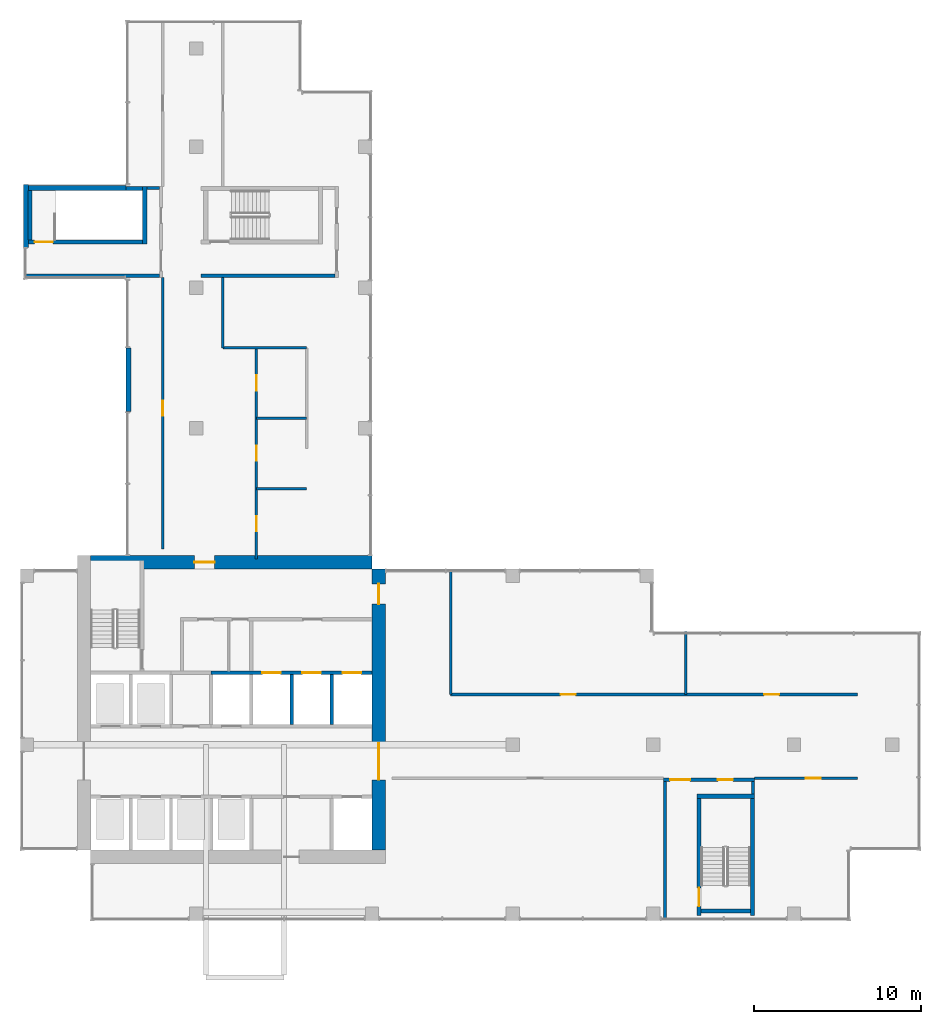
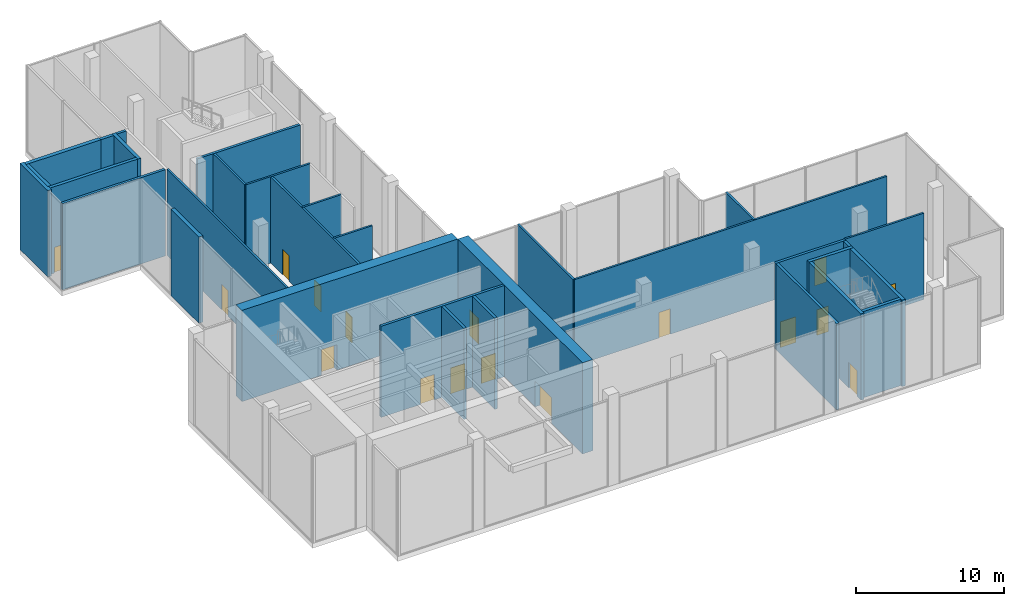
# One storey, part 8 of 13: 32 walls, 17 doors, 17 openings.
"""IFC4 building model written with IfcOpenShell, lengths in metres."""

import ifcopenshell
import ifcopenshell.guid

model = None  # the IFC model being written
_history = None  # IfcOwnerHistory: only IFC2X3 demands one
_inside = {}  # id of a spatial element -> (the spatial element, [elements in it])
_under = {}  # id of a project, library or spatial element -> (it, [spatial elements below it])
_declared = {}  # id of a project -> (the project, [libraries it declares])
_typed = {}  # id of a type object -> (the type object, [elements of that type])
_made_of = {}  # id of a material, layer set ... -> (it, [elements and type objects made of it])


def new_model(schema):
    """Start an empty IFC model of exactly this schema.

    Asked for "IFC4X3", IfcOpenShell would pick the latest addendum, in which some entities
    have other attributes; the version numbers below select the first issue.
    IFC2X3 requires an IfcOwnerHistory on every rooted entity: one is made here for all.
    """
    global model, _history
    if schema == "IFC4X3":
        model = ifcopenshell.file(schema_version=(4, 3, 0, 0))
    else:
        model = ifcopenshell.file(schema=schema)
    _inside.clear()
    _under.clear()
    _declared.clear()
    _typed.clear()
    _made_of.clear()
    _history = None
    if model.schema == "IFC2X3":
        org = make("IfcOrganization", Name="unknown")
        user = make(
            "IfcPersonAndOrganization",
            ThePerson=make("IfcPerson", FamilyName="unknown"),
            TheOrganization=org,
        )
        app = make(
            "IfcApplication",
            ApplicationDeveloper=org,
            Version="unknown",
            ApplicationFullName="unknown",
            ApplicationIdentifier="unknown",
        )
        _history = make(
            "IfcOwnerHistory",
            OwningUser=user,
            OwningApplication=app,
            ChangeAction="ADDED",
            CreationDate=0,
        )
    return model


def make(cls, **values):
    """One entity of the class cls with the attributes given. An attribute that is None is left unset."""
    return model.create_entity(
        cls, **{name: value for name, value in values.items() if value is not None}
    )


def rooted(cls, **values):
    """An entity with a GlobalId (a new one), such as an element, a storey or a relation."""
    return make(cls, GlobalId=ifcopenshell.guid.new(), OwnerHistory=_history, **values)


def si_unit(unit_type, name, prefix=None):
    """IfcSIUnit, for example si_unit("LENGTHUNIT", "METRE", prefix="MILLI")."""
    return make("IfcSIUnit", UnitType=unit_type, Prefix=prefix, Name=name)


def assignment(units):
    """IfcUnitAssignment: the units of a project."""
    return None if units is None else make("IfcUnitAssignment", Units=units)


def point(xyz):
    """IfcCartesianPoint."""
    return None if xyz is None else make("IfcCartesianPoint", Coordinates=xyz)


def direction(xyz):
    """IfcDirection."""
    return None if xyz is None else make("IfcDirection", DirectionRatios=xyz)


def frame(location, z_axis=None, x_axis=None):
    """IfcAxis2Placement3D, a coordinate frame: its origin and axes. An axis left out is left unset."""
    return make(
        "IfcAxis2Placement3D",
        Location=point(location),
        Axis=direction(z_axis),
        RefDirection=direction(x_axis),
    )


def frame_2d(location, x_axis=None):
    """IfcAxis2Placement2D, a coordinate frame in the plane: its origin and x axis."""
    return make(
        "IfcAxis2Placement2D", Location=point(location), RefDirection=direction(x_axis)
    )


def origin():
    """The frame at (0, 0, 0) with its axes left unset."""
    return frame((0.0, 0.0, 0.0))


def place(relative_to, where):
    """IfcLocalPlacement: puts the frame where relative to a parent placement (None: the world)."""
    return make(
        "IfcLocalPlacement", PlacementRelTo=relative_to, RelativePlacement=where
    )


def context(
    kind, dimensions, precision=None, world=None, true_north=None, identifier=None
):
    """IfcGeometricRepresentationContext, for example the 3D "Model" context."""
    return make(
        "IfcGeometricRepresentationContext",
        ContextIdentifier=identifier,
        ContextType=kind,
        CoordinateSpaceDimension=dimensions,
        Precision=precision,
        WorldCoordinateSystem=world,
        TrueNorth=true_north,
    )


def subcontext(parent, identifier, kind, view, scale=None):
    """IfcGeometricRepresentationSubContext, for example "Body" below "Model"."""
    return make(
        "IfcGeometricRepresentationSubContext",
        ContextIdentifier=identifier,
        ContextType=kind,
        ParentContext=parent,
        TargetScale=scale,
        TargetView=view,
    )


def project(units=None, contexts=None):
    """IfcProject with its units and contexts."""
    return rooted(
        "IfcProject",
        Name="project",
        RepresentationContexts=contexts,
        UnitsInContext=assignment(units),
    )


def spatial(cls, under=None, at=None, **own):
    """A site, building, storey or space (cls), placed at a placement, below another one or the project."""
    s = rooted(cls, ObjectPlacement=at, **own)
    if under is not None:
        _under.setdefault(under.id(), (under, []))[1].append(s)
    return s


def profile(cls, at=None, kind="AREA", **sizes):
    """A parametric profile (cls). Its sizes go by their IFC names, for example OverallWidth=200.0."""
    return make(cls, ProfileType=kind, Position=at, **sizes)


def rectangle(**sizes):
    """IfcRectangleProfileDef."""
    return profile("IfcRectangleProfileDef", **sizes)


def extrude(swept, where, along, depth):
    """IfcExtrudedAreaSolid: the profile swept, set in the frame where, extruded along a direction by depth."""
    return make(
        "IfcExtrudedAreaSolid",
        SweptArea=swept,
        Position=where,
        ExtrudedDirection=direction(along),
        Depth=depth,
    )


def shape(context_of_items, identifier, shape_type, items):
    """IfcShapeRepresentation: the items that make up one representation, for example the "Body"."""
    return make(
        "IfcShapeRepresentation",
        ContextOfItems=context_of_items,
        RepresentationIdentifier=identifier,
        RepresentationType=shape_type,
        Items=items,
    )


def source(mapping_origin, context_of_items, identifier, shape_type, items):
    """IfcRepresentationMap: a shape defined once, which mapped items show again and again."""
    return make(
        "IfcRepresentationMap",
        MappingOrigin=mapping_origin,
        MappedRepresentation=shape(context_of_items, identifier, shape_type, items),
    )


def transform(
    local_origin,
    x_axis=None,
    y_axis=None,
    z_axis=None,
    scale=None,
    scale2=None,
    scale3=None,
    uniform=True,
):
    """IfcCartesianTransformationOperator3D, or its non-uniform kind. x_axis, y_axis, z_axis: its Axis1, 2, 3."""
    if uniform:
        return make(
            "IfcCartesianTransformationOperator3D",
            Axis1=direction(x_axis),
            Axis2=direction(y_axis),
            LocalOrigin=point(local_origin),
            Scale=scale,
            Axis3=direction(z_axis),
        )
    return make(
        "IfcCartesianTransformationOperator3DnonUniform",
        Axis1=direction(x_axis),
        Axis2=direction(y_axis),
        LocalOrigin=point(local_origin),
        Scale=scale,
        Axis3=direction(z_axis),
        Scale2=scale2,
        Scale3=scale3,
    )


def mapped(mapping_source, mapping_target):
    """IfcMappedItem: shows the shape of a source again, moved by a transform."""
    return make(
        "IfcMappedItem", MappingSource=mapping_source, MappingTarget=mapping_target
    )


def material(Name=None, Category=None):
    """IfcMaterial."""
    return make("IfcMaterial", Name=Name, Category=Category)


def layer(
    of_material, thickness, ventilated=None, Name=None, Category=None, Priority=None
):
    """IfcMaterialLayer: one layer of a wall or slab, of a material (None: an air gap)."""
    return make(
        "IfcMaterialLayer",
        Material=of_material,
        LayerThickness=thickness,
        IsVentilated=ventilated,
        Name=Name,
        Category=Category,
        Priority=Priority,
    )


def layer_set(layers, Name=None):
    """IfcMaterialLayerSet."""
    return make("IfcMaterialLayerSet", MaterialLayers=layers, LayerSetName=Name)


def made_of(thing, what):
    """Note that an element or type object is made of a material, layer set ...; save() writes the relation."""
    if what is not None:
        _made_of.setdefault(what.id(), (what, []))[1].append(thing)
    return thing


def type_object(cls, material=None, **own):
    """A type object (cls), such as IfcWallType, which elements share."""
    return made_of(rooted(cls, **own), material)


def element(
    cls,
    number,
    at=None,
    inside=None,
    cuts=None,
    type_object=None,
    material=None,
    context=None,
    identifier="Body",
    shape_type=None,
    held_by="IfcProductDefinitionShape",
    body=None,
    shapes=None,
    **own,
):
    """One element of the class cls, such as IfcWall. Its Tag is "e" and its number.

    at: its placement. inside: the storey or other place that contains it. cuts: it is an
    opening in that element (IfcRelVoidsElement). A single representation is given by context,
    identifier, shape_type and body (its items); several are given by shapes. held_by: the class
    of the entity that holds the representations. save() writes the other relations.
    """
    e = rooted(cls, Tag="e%d" % number, ObjectPlacement=at, **own)
    if body is not None:
        shapes = [shape(context, identifier, shape_type, body)]
    if shapes is not None:
        e.Representation = make(held_by, Representations=shapes)
    if inside is not None:
        _inside.setdefault(inside.id(), (inside, []))[1].append(e)
    if cuts is not None:
        rooted(
            "IfcRelVoidsElement", RelatingBuildingElement=cuts, RelatedOpeningElement=e
        )
    if type_object is not None:
        _typed.setdefault(type_object.id(), (type_object, []))[1].append(e)
    return made_of(e, material)


def fill(opening, filler):
    """IfcRelFillsElement: the door or window that sits in an opening."""
    return rooted(
        "IfcRelFillsElement",
        RelatingOpeningElement=opening,
        RelatedBuildingElement=filler,
    )


def aggregate(whole, parts):
    """IfcRelAggregates: a whole, such as a stair, and the parts it consists of."""
    return rooted("IfcRelAggregates", RelatingObject=whole, RelatedObjects=parts)


def save(model, path):
    """Write the relations noted so far, then the file.

    IfcRelAggregates (storeys below a building ...), IfcRelContainedInSpatialStructure (elements
    in a storey), IfcRelDefinesByType, IfcRelAssociatesMaterial and IfcRelDeclares: one each for
    every whole, place, type object, material and project.
    """
    for whole, parts in _under.values():
        aggregate(whole, parts)
    for where, things in _inside.values():
        rooted(
            "IfcRelContainedInSpatialStructure",
            RelatedElements=things,
            RelatingStructure=where,
        )
    for kind, things in _typed.values():
        rooted("IfcRelDefinesByType", RelatedObjects=things, RelatingType=kind)
    for what, things in _made_of.values():
        rooted("IfcRelAssociatesMaterial", RelatedObjects=things, RelatingMaterial=what)
    for by, libraries in _declared.values():
        rooted("IfcRelDeclares", RelatingContext=by, RelatedDefinitions=libraries)
    model.write(path)


model = new_model("IFC4")

# Units and contexts
model_context = context("Model", 3, precision=1e-05, world=origin(), true_north=direction((0.0, 1.0)))
body_context = subcontext(model_context, "Body", "Model", "MODEL_VIEW")
ifc_project = project(units=[si_unit("LENGTHUNIT", "METRE"), si_unit("AREAUNIT", "SQUARE_METRE"), si_unit("VOLUMEUNIT", "CUBIC_METRE"), si_unit("PLANEANGLEUNIT", "RADIAN"), si_unit("MASSUNIT", "GRAM", prefix="KILO")], contexts=[model_context])

# Site, building, storey
site_placement = place(None, origin())
site = spatial("IfcSite", under=ifc_project, at=site_placement, CompositionType="ELEMENT")
building_placement = place(site_placement, origin())
building = spatial("IfcBuilding", under=site, at=building_placement, Name="Aurelian Terraces", CompositionType="ELEMENT")
storey_placement = place(building_placement, frame((0.0, 0.0, 277.0)))
storey = spatial("IfcBuildingStorey", under=building, at=storey_placement, Name="L63", CompositionType="ELEMENT", Elevation=277.0)

# Wall, openings, doors
ifc_material_1 = material(Name="Concrete fc' 70 MPa", Category="concrete")
ifc_layer_1 = layer(ifc_material_1, 0.8)
ifc_layer_set_1 = layer_set([ifc_layer_1], Name="CORE WALL 800 FC70")
wall_type_1 = type_object("IfcWallType", Name="CORE WALL 800 FC70", PredefinedType="SHEAR", material=ifc_layer_set_1)
wall_1_placement = place(storey_placement, frame((21.4, 4.2, 0.0), z_axis=(0.0, 0.0, 1.0), x_axis=(0.0, 1.0, 0.0)))
wall_1 = element("IfcWall", 1, at=wall_1_placement, inside=storey, type_object=wall_type_1, Name="Core wall E L63", PredefinedType="SHEAR", context=body_context, shape_type="SweptSolid", body=[
    extrude(rectangle(XDim=16.8, YDim=0.8, at=frame_2d((8.4, 0.0))), origin(), (0.0, 0.0, 1.0), 7.5),
])
shared_shape_1 = source(origin(), body_context, "Body", "SweptSolid", [
    extrude(rectangle(XDim=2.2, YDim=2.1, at=frame_2d((1.1, 1.05))), frame((0.0, 0.41, 0.0), z_axis=(0.0, -1.0, 0.0), x_axis=(1.0, 0.0, 0.0)), (0.0, 0.0, 1.0), 0.82),
])
opening_1_placement = place(wall_1_placement, frame((4.2, 0.0, 0.0)))
opening_1 = element("IfcOpeningElement", 2, at=opening_1_placement, cuts=wall_1, Name="Opening 66626", PredefinedType="OPENING", context=body_context, shape_type="MappedRepresentation", body=[
    mapped(shared_shape_1, transform((0.0, 0.0, 0.0), scale=1.0)),
])
shared_shape_2 = source(origin(), body_context, "Body", "SweptSolid", [
    extrude(rectangle(XDim=1.2, YDim=2.1, at=frame_2d((0.6, 1.05))), frame((0.0, 0.41, 0.0), z_axis=(0.0, -1.0, 0.0), x_axis=(1.0, 0.0, 0.0)), (0.0, 0.0, 1.0), 0.82),
])
opening_2_placement = place(wall_1_placement, frame((14.7, 0.0, 0.0)))
opening_2 = element("IfcOpeningElement", 3, at=opening_2_placement, cuts=wall_1, Name="Opening 66629", PredefinedType="OPENING", context=body_context, shape_type="MappedRepresentation", body=[
    mapped(shared_shape_2, transform((0.0, 0.0, 0.0), scale=1.0)),
])
ifc_material_2 = material(Name="Steel door leaf", Category="steel")
door_type_1 = type_object("IfcDoorType", Name="Core fire door 1200x2100 right", OperationType="SINGLE_SWING_RIGHT", PredefinedType="DOOR", material=ifc_material_2)
shared_shape_3 = source(origin(), body_context, "Body", "SweptSolid", [
    extrude(rectangle(XDim=1.2, YDim=2.1, at=frame_2d((0.6, 1.05))), frame((0.0, 0.025, 0.0), z_axis=(0.0, -1.0, 0.0), x_axis=(1.0, 0.0, 0.0)), (0.0, 0.0, 1.0), 0.05),
])
door_1_placement = place(opening_2_placement, origin())
door_1 = element("IfcDoor", 4, at=door_1_placement, inside=storey, type_object=door_type_1, Name="Core door 66629", OperationType="SINGLE_SWING_RIGHT", OverallHeight=2.1, OverallWidth=1.2, PredefinedType="DOOR", context=body_context, shape_type="MappedRepresentation", body=[
    mapped(shared_shape_3, transform((0.0, 0.0, 0.0), scale=1.0)),
])
fill(opening_2, door_1)
door_type_2 = type_object("IfcDoorType", Name="Core double door 2200x2100", OperationType="DOUBLE_DOOR_SINGLE_SWING", PredefinedType="DOOR", material=ifc_material_2)
shared_shape_4 = source(origin(), body_context, "Body", "SweptSolid", [
    extrude(rectangle(XDim=2.2, YDim=2.1, at=frame_2d((1.1, 1.05))), frame((0.0, 0.025, 0.0), z_axis=(0.0, -1.0, 0.0), x_axis=(1.0, 0.0, 0.0)), (0.0, 0.0, 1.0), 0.05),
])
door_2_placement = place(opening_1_placement, origin())
door_2 = element("IfcDoor", 5, at=door_2_placement, inside=storey, type_object=door_type_2, Name="Core door 66626", OperationType="DOUBLE_DOOR_SINGLE_SWING", OverallHeight=2.1, OverallWidth=2.2, PredefinedType="DOOR", context=body_context, shape_type="MappedRepresentation", body=[
    mapped(shared_shape_4, transform((0.0, 0.0, 0.0), scale=1.0)),
])
fill(opening_1, door_2)

# Walls
ifc_material_3 = material(Name="Gypsum board on steel studs", Category="steel")
ifc_layer_2 = layer(ifc_material_3, 0.2)
ifc_layer_set_2 = layer_set([ifc_layer_2], Name="Core partition 200")
wall_type_2 = type_object("IfcWallType", Name="Core partition 200", PredefinedType="PARTITIONING", material=ifc_layer_set_2)
wall_2_placement = place(storey_placement, frame((38.5, 0.11, 0.0), z_axis=(0.0, 0.0, 1.0), x_axis=(0.0, 1.0, 0.0)))
element("IfcWall", 6, at=wall_2_placement, inside=storey, type_object=wall_type_2, Name="L63 core wall ST-S2-VW", PredefinedType="PARTITIONING", context=body_context, shape_type="SweptSolid", body=[
    extrude(rectangle(XDim=8.19, YDim=0.2, at=frame_2d((4.095, 0.0))), origin(), (0.0, 0.0, 1.0), 7.1),
])
ifc_layer_3 = layer(ifc_material_3, 0.15)
ifc_layer_set_3 = layer_set([ifc_layer_3], Name="Special partition 150")
wall_type_3 = type_object("IfcWallType", Name="Special partition 150", PredefinedType="PARTITIONING", material=ifc_layer_set_3)
wall_3_placement = place(storey_placement, frame((12.1, 34.2, 0.0), z_axis=(0.0, 0.0, 1.0), x_axis=(0.0, 1.0, 0.0)))
element("IfcWall", 7, at=wall_3_placement, inside=storey, type_object=wall_type_3, Name="L63 partition W09", PredefinedType="PARTITIONING", context=body_context, shape_type="SweptSolid", body=[
    extrude(rectangle(XDim=4.2, YDim=0.15, at=frame_2d((2.1, 0.0))), origin(), (0.0, 0.0, 1.0), 7.1),
])
wall_4_placement = place(storey_placement, frame((39.73, 13.5, 0.0), z_axis=(0.0, 0.0, 1.0), x_axis=(0.0, 1.0, 0.0)))
element("IfcWall", 8, at=wall_4_placement, inside=storey, type_object=wall_type_3, Name="L63 partition W14", PredefinedType="PARTITIONING", context=body_context, shape_type="SweptSolid", body=[
    extrude(rectangle(XDim=3.75, YDim=0.15, at=frame_2d((1.875, 0.0))), origin(), (0.0, 0.0, 1.0), 7.1),
])

# Wall, opening, door
shared_shape_5 = source(origin(), body_context, "Body", "SweptSolid", [
    extrude(rectangle(XDim=16.8, YDim=0.8, at=frame_2d((8.4, 0.0))), origin(), (0.0, 0.0, 1.0), 7.5),
])
wall_5_placement = place(storey_placement, frame((4.2, 21.4, 0.0), z_axis=(0.0, 0.0, 1.0), x_axis=(1.0, 0.0, 0.0)))
wall_5 = element("IfcWall", 9, at=wall_5_placement, inside=storey, type_object=wall_type_1, Name="Core wall N L63", PredefinedType="SHEAR", context=body_context, shape_type="MappedRepresentation", body=[
    mapped(shared_shape_5, transform((0.0, 0.0, 0.0), scale=1.0)),
])
opening_3_placement = place(wall_5_placement, frame((6.2, 0.0, 0.0)))
opening_3 = element("IfcOpeningElement", 10, at=opening_3_placement, cuts=wall_5, Name="Opening 66628", PredefinedType="OPENING", context=body_context, shape_type="MappedRepresentation", body=[
    mapped(shared_shape_2, transform((0.0, 0.0, 0.0), scale=1.0)),
])
door_type_3 = type_object("IfcDoorType", Name="Core fire door 1200x2100", OperationType="SINGLE_SWING_LEFT", PredefinedType="DOOR", material=ifc_material_2)
door_3_placement = place(opening_3_placement, origin())
door_3 = element("IfcDoor", 11, at=door_3_placement, inside=storey, type_object=door_type_3, Name="Core door 66628", OperationType="SINGLE_SWING_LEFT", OverallHeight=2.1, OverallWidth=1.2, PredefinedType="DOOR", context=body_context, shape_type="MappedRepresentation", body=[
    mapped(shared_shape_3, transform((0.0, 0.0, 0.0), scale=1.0)),
])
fill(opening_3, door_3)

# Walls
ifc_material_4 = material(Name="Concrete fc' 40 MPa", Category="concrete")
ifc_layer_4 = layer(ifc_material_4, 0.3)
ifc_layer_set_4 = layer_set([ifc_layer_4], Name="STAIR BAY WALL 300")
wall_type_4 = type_object("IfcWallType", Name="STAIR BAY WALL 300", PredefinedType="SOLIDWALL", material=ifc_layer_set_4)
shared_shape_6 = source(origin(), body_context, "Body", "SweptSolid", [
    extrude(rectangle(XDim=5.8, YDim=0.3, at=frame_2d((2.9, 0.0))), origin(), (0.0, 0.0, 1.0), 7.1),
])
wall_6_placement = place(storey_placement, frame((6.3, 43.75, 0.0), z_axis=(0.0, 0.0, 1.0), x_axis=(-1.0, 0.0, 0.0)))
element("IfcWall", 12, at=wall_6_placement, inside=storey, type_object=wall_type_4, Name="Stair bay wall L63 F13.1", PredefinedType="SOLIDWALL", context=body_context, shape_type="MappedRepresentation", body=[
    mapped(shared_shape_6, transform((0.0, 0.0, 0.0), scale=1.0)),
])
shared_shape_7 = source(origin(), body_context, "Body", "SweptSolid", [
    extrude(rectangle(XDim=3.75, YDim=0.3, at=frame_2d((1.875, 0.0))), origin(), (0.0, 0.0, 1.0), 7.1),
])
wall_7_placement = place(storey_placement, frame((0.35, 43.95, 0.0), z_axis=(0.0, 0.0, 1.0), x_axis=(0.0, -1.0, 0.0)))
element("IfcWall", 13, at=wall_7_placement, inside=storey, type_object=wall_type_4, Name="Stair bay wall L63 F14.1", PredefinedType="SOLIDWALL", context=body_context, shape_type="MappedRepresentation", body=[
    mapped(shared_shape_7, transform((0.0, 0.0, 0.0), scale=1.0)),
])
shared_shape_8 = source(origin(), body_context, "Body", "SweptSolid", [
    extrude(rectangle(XDim=3.8, YDim=0.3, at=frame_2d((1.9, 0.0))), origin(), (0.0, 0.0, 1.0), 7.1),
])
wall_8_placement = place(storey_placement, frame((6.45, 34.2, 0.0), z_axis=(0.0, 0.0, 1.0), x_axis=(0.0, -1.0, 0.0)))
element("IfcWall", 14, at=wall_8_placement, inside=storey, type_object=wall_type_4, Name="Stair bay wall L63 F16.2", PredefinedType="SOLIDWALL", context=body_context, shape_type="MappedRepresentation", body=[
    mapped(shared_shape_8, transform((0.0, 0.0, 0.0), scale=1.0)),
])
ifc_layer_5 = layer(ifc_material_4, 0.2)
ifc_layer_set_5 = layer_set([ifc_layer_5], Name="Lift shaft wall 200")
wall_type_5 = type_object("IfcWallType", Name="Lift shaft wall 200", PredefinedType="SOLIDWALL", material=ifc_layer_set_5)
shared_shape_9 = source(origin(), body_context, "Body", "SweptSolid", [
    extrude(rectangle(XDim=3.0, YDim=0.2, at=frame_2d((1.5, 0.0))), origin(), (0.0, 0.0, 1.0), 7.5),
])
for number, where, z_axis, x_axis, name in (
    (15, (16.2, 11.7, 0.0), (0.0, 0.0, 1.0), (0.0, 1.0, 0.0), "L63 core wall CD-B5"),
    (16, (18.6, 11.7, 0.0), (0.0, 0.0, 1.0), (0.0, 1.0, 0.0), "L63 core wall CD-B6"),
):
    element("IfcWall", number, at=place(storey_placement, frame(where, z_axis=z_axis, x_axis=x_axis)), inside=storey, type_object=wall_type_5, Name=name, PredefinedType="SOLIDWALL", context=body_context, shape_type="MappedRepresentation", body=[
        mapped(shared_shape_9, transform((0.0, 0.0, 0.0), scale=1.0)),
    ])

# Wall, openings, doors
shared_shape_10 = source(origin(), body_context, "Body", "SweptSolid", [
    extrude(rectangle(XDim=9.6, YDim=0.2, at=frame_2d((4.8, 0.0))), origin(), (0.0, 0.0, 1.0), 7.5),
])
wall_9_placement = place(storey_placement, frame((11.4, 14.8, 0.0), z_axis=(0.0, 0.0, 1.0), x_axis=(1.0, 0.0, 0.0)))
wall_9 = element("IfcWall", 17, at=wall_9_placement, inside=storey, type_object=wall_type_5, Name="L63 core wall CF-BB3", PredefinedType="SOLIDWALL", context=body_context, shape_type="MappedRepresentation", body=[
    mapped(shared_shape_10, transform((0.0, 0.0, 0.0), scale=1.0)),
])
shared_shape_11 = source(origin(), body_context, "Body", "SweptSolid", [
    extrude(rectangle(XDim=1.1, YDim=2.1, at=frame_2d((0.55, 1.05))), frame((0.0, 0.11, 0.0), z_axis=(0.0, -1.0, 0.0), x_axis=(1.0, 0.0, 0.0)), (0.0, 0.0, 1.0), 0.22),
])
opening_4_placement = place(wall_9_placement, frame((3.05, 0.0, 0.0)))
opening_4 = element("IfcOpeningElement", 18, at=opening_4_placement, cuts=wall_9, Name="Opening 66610", PredefinedType="OPENING", context=body_context, shape_type="MappedRepresentation", body=[
    mapped(shared_shape_11, transform((0.0, 0.0, 0.0), scale=1.0)),
])
opening_5_placement = place(wall_9_placement, frame((5.45, 0.0, 0.0)))
opening_5 = element("IfcOpeningElement", 19, at=opening_5_placement, cuts=wall_9, Name="Opening 66611", PredefinedType="OPENING", context=body_context, shape_type="MappedRepresentation", body=[
    mapped(shared_shape_11, transform((0.0, 0.0, 0.0), scale=1.0)),
])
opening_6_placement = place(wall_9_placement, frame((7.85, 0.0, 0.0)))
opening_6 = element("IfcOpeningElement", 20, at=opening_6_placement, cuts=wall_9, Name="Opening 66612", PredefinedType="OPENING", context=body_context, shape_type="MappedRepresentation", body=[
    mapped(shared_shape_11, transform((0.0, 0.0, 0.0), scale=1.0)),
])
ifc_material_5 = material(Name="Stainless steel", Category="steel")
door_type_4 = type_object("IfcDoorType", Name="Lift landing door 1100x2100", OperationType="SLIDING_TO_LEFT", PredefinedType="DOOR", material=ifc_material_5)
shared_shape_12 = source(origin(), body_context, "Body", "SweptSolid", [
    extrude(rectangle(XDim=1.1, YDim=2.1, at=frame_2d((0.55, 1.05))), frame((0.0, 0.025, 0.0), z_axis=(0.0, -1.0, 0.0), x_axis=(1.0, 0.0, 0.0)), (0.0, 0.0, 1.0), 0.05),
])
door_4_placement = place(opening_4_placement, origin())
door_4 = element("IfcDoor", 21, at=door_4_placement, inside=storey, type_object=door_type_4, Name="Lift landing door F1 L63", OperationType="SLIDING_TO_LEFT", OverallHeight=2.1, OverallWidth=1.1, PredefinedType="DOOR", context=body_context, shape_type="MappedRepresentation", body=[
    mapped(shared_shape_12, transform((0.0, 0.0, 0.0), scale=1.0)),
])
fill(opening_4, door_4)
door_5_placement = place(opening_5_placement, origin())
door_5 = element("IfcDoor", 22, at=door_5_placement, inside=storey, type_object=door_type_4, Name="Lift landing door F2 L63", OperationType="SLIDING_TO_LEFT", OverallHeight=2.1, OverallWidth=1.1, PredefinedType="DOOR", context=body_context, shape_type="MappedRepresentation", body=[
    mapped(shared_shape_12, transform((0.0, 0.0, 0.0), scale=1.0)),
])
fill(opening_5, door_5)
door_6_placement = place(opening_6_placement, origin())
door_6 = element("IfcDoor", 23, at=door_6_placement, inside=storey, type_object=door_type_4, Name="Lift landing door F3 L63", OperationType="SLIDING_TO_LEFT", OverallHeight=2.1, OverallWidth=1.1, PredefinedType="DOOR", context=body_context, shape_type="MappedRepresentation", body=[
    mapped(shared_shape_12, transform((0.0, 0.0, 0.0), scale=1.0)),
])
fill(opening_6, door_6)

# Wall, opening, door
ifc_layer_6 = layer(ifc_material_4, 0.25)
ifc_layer_set_6 = layer_set([ifc_layer_6], Name="Stair enclosure wall 250")
wall_type_6 = type_object("IfcWallType", Name="Stair enclosure wall 250", PredefinedType="SOLIDWALL", material=ifc_layer_set_6)
shared_shape_13 = source(origin(), body_context, "Body", "SweptSolid", [
    extrude(rectangle(XDim=7.0, YDim=0.25, at=frame_2d((3.5, 0.0))), origin(), (0.0, 0.0, 1.0), 7.1),
])
wall_10_placement = place(storey_placement, frame((40.525, 0.3, 0.0), z_axis=(0.0, 0.0, 1.0), x_axis=(0.0, 1.0, 0.0)))
wall_10 = element("IfcWall", 24, at=wall_10_placement, inside=storey, type_object=wall_type_6, Name="L63 core wall ST-S2-W", PredefinedType="SOLIDWALL", context=body_context, shape_type="MappedRepresentation", body=[
    mapped(shared_shape_13, transform((0.0, 0.0, 0.0), scale=1.0)),
])
shared_shape_14 = source(origin(), body_context, "Body", "SweptSolid", [
    extrude(rectangle(XDim=1.1, YDim=2.1, at=frame_2d((0.55, 1.05))), frame((0.0, 0.135, 0.0), z_axis=(0.0, -1.0, 0.0), x_axis=(1.0, 0.0, 0.0)), (0.0, 0.0, 1.0), 0.27),
])
opening_7_placement = place(wall_10_placement, frame((0.55, 0.0, 0.0)))
opening_7 = element("IfcOpeningElement", 25, at=opening_7_placement, cuts=wall_10, Name="Opening 66617", PredefinedType="OPENING", context=body_context, shape_type="MappedRepresentation", body=[
    mapped(shared_shape_14, transform((0.0, 0.0, 0.0), scale=1.0)),
])
door_type_5 = type_object("IfcDoorType", Name="Core fire door 1100x2100 right", OperationType="SINGLE_SWING_RIGHT", PredefinedType="DOOR", material=ifc_material_2)
door_7_placement = place(opening_7_placement, origin())
door_7 = element("IfcDoor", 26, at=door_7_placement, inside=storey, type_object=door_type_5, Name="Stair door 66617", OperationType="SINGLE_SWING_RIGHT", OverallHeight=2.1, OverallWidth=1.1, PredefinedType="DOOR", context=body_context, shape_type="MappedRepresentation", body=[
    mapped(shared_shape_12, transform((0.0, 0.0, 0.0), scale=1.0)),
])
fill(opening_7, door_7)

# Wall
wall_11_placement = place(storey_placement, frame((43.725, 0.3, 0.0), z_axis=(0.0, 0.0, 1.0), x_axis=(0.0, 1.0, 0.0)))
element("IfcWall", 27, at=wall_11_placement, inside=storey, type_object=wall_type_6, Name="L63 core wall ST-S2-E", PredefinedType="SOLIDWALL", context=body_context, shape_type="MappedRepresentation", body=[
    mapped(shared_shape_13, transform((0.0, 0.0, 0.0), scale=1.0)),
])

# Wall, opening, door
wall_12_placement = place(storey_placement, frame((0.3, 40.525, 0.0), z_axis=(0.0, 0.0, 1.0), x_axis=(1.0, 0.0, 0.0)))
wall_12 = element("IfcWall", 28, at=wall_12_placement, inside=storey, type_object=wall_type_6, Name="L63 core wall ST-S3-W", PredefinedType="SOLIDWALL", context=body_context, shape_type="MappedRepresentation", body=[
    mapped(shared_shape_13, transform((0.0, 0.0, 0.0), scale=1.0)),
])
opening_8_placement = place(wall_12_placement, frame((0.55, 0.0, 0.0)))
opening_8 = element("IfcOpeningElement", 29, at=opening_8_placement, cuts=wall_12, Name="Opening 66620", PredefinedType="OPENING", context=body_context, shape_type="MappedRepresentation", body=[
    mapped(shared_shape_14, transform((0.0, 0.0, 0.0), scale=1.0)),
])
door_type_6 = type_object("IfcDoorType", Name="Core fire door 1100x2100", OperationType="SINGLE_SWING_LEFT", PredefinedType="DOOR", material=ifc_material_2)
door_8_placement = place(opening_8_placement, origin())
door_8 = element("IfcDoor", 30, at=door_8_placement, inside=storey, type_object=door_type_6, Name="Stair door 66620", OperationType="SINGLE_SWING_LEFT", OverallHeight=2.1, OverallWidth=1.1, PredefinedType="DOOR", context=body_context, shape_type="MappedRepresentation", body=[
    mapped(shared_shape_12, transform((0.0, 0.0, 0.0), scale=1.0)),
])
fill(opening_8, door_8)

# Walls
shared_shape_15 = source(origin(), body_context, "Body", "SweptSolid", [
    extrude(rectangle(XDim=3.45, YDim=0.25, at=frame_2d((1.725, 0.0))), origin(), (0.0, 0.0, 1.0), 7.1),
])
for number, where, z_axis, x_axis, name in (
    (31, (40.4, 7.425, 0.0), (0.0, 0.0, 1.0), (1.0, 0.0, 0.0), "L63 core wall ST-S2-N"),
    (32, (7.425, 40.4, 0.0), (0.0, 0.0, 1.0), (0.0, 1.0, 0.0), "L63 core wall ST-S3-N"),
):
    element("IfcWall", number, at=place(storey_placement, frame(where, z_axis=z_axis, x_axis=x_axis)), inside=storey, type_object=wall_type_6, Name=name, PredefinedType="SOLIDWALL", context=body_context, shape_type="MappedRepresentation", body=[
        mapped(shared_shape_15, transform((0.0, 0.0, 0.0), scale=1.0)),
    ])
shared_shape_16 = source(origin(), body_context, "Body", "SweptSolid", [
    extrude(rectangle(XDim=2.95, YDim=0.25, at=frame_2d((1.475, 0.0))), origin(), (0.0, 0.0, 1.0), 7.1),
])
for number, where, z_axis, x_axis, name in (
    (33, (40.65, 0.575, 0.0), (0.0, 0.0, 1.0), (1.0, 0.0, 0.0), "L63 core wall ST-S2-SS"),
    (34, (0.575, 40.65, 0.0), (0.0, 0.0, 1.0), (0.0, 1.0, 0.0), "L63 core wall ST-S3-SS"),
):
    element("IfcWall", number, at=place(storey_placement, frame(where, z_axis=z_axis, x_axis=x_axis)), inside=storey, type_object=wall_type_6, Name=name, PredefinedType="SOLIDWALL", context=body_context, shape_type="MappedRepresentation", body=[
        mapped(shared_shape_16, transform((0.0, 0.0, 0.0), scale=1.0)),
    ])
shared_shape_17 = source(origin(), body_context, "Body", "SweptSolid", [
    extrude(rectangle(XDim=8.0, YDim=0.2, at=frame_2d((4.0, 0.0))), origin(), (0.0, 0.0, 1.0), 7.1),
])
for number, where, z_axis, x_axis, name in (
    (35, (0.3, 38.5, 0.0), (0.0, 0.0, 1.0), (1.0, 0.0, 0.0), "L63 core wall ST-S3-VW"),
    (36, (10.8, 38.5, 0.0), (0.0, 0.0, 1.0), (1.0, 0.0, 0.0), "L63 core wall ST-S3U-VW"),
):
    element("IfcWall", number, at=place(storey_placement, frame(where, z_axis=z_axis, x_axis=x_axis)), inside=storey, type_object=wall_type_2, Name=name, PredefinedType="PARTITIONING", context=body_context, shape_type="MappedRepresentation", body=[
        mapped(shared_shape_17, transform((0.0, 0.0, 0.0), scale=1.0)),
    ])

# Wall, openings, doors
shared_shape_18 = source(origin(), body_context, "Body", "SweptSolid", [
    extrude(rectangle(XDim=5.45, YDim=0.2, at=frame_2d((2.725, 0.0))), origin(), (0.0, 0.0, 1.0), 7.1),
])
wall_13_placement = place(storey_placement, frame((38.4, 8.4, 0.0), z_axis=(0.0, 0.0, 1.0), x_axis=(1.0, 0.0, 0.0)))
wall_13 = element("IfcWall", 37, at=wall_13_placement, inside=storey, type_object=wall_type_2, Name="L63 core wall ST-S2-BN", PredefinedType="PARTITIONING", context=body_context, shape_type="MappedRepresentation", body=[
    mapped(shared_shape_18, transform((0.0, 0.0, 0.0), scale=1.0)),
])
shared_shape_19 = source(origin(), body_context, "Body", "SweptSolid", [
    extrude(rectangle(XDim=1.2, YDim=2.1, at=frame_2d((0.6, 1.05))), frame((0.0, 0.11, 0.0), z_axis=(0.0, -1.0, 0.0), x_axis=(1.0, 0.0, 0.0)), (0.0, 0.0, 1.0), 0.22),
])
opening_9_placement = place(wall_13_placement, frame((0.4, 0.0, 0.0)))
opening_9 = element("IfcOpeningElement", 38, at=opening_9_placement, cuts=wall_13, Name="Opening 66618", PredefinedType="OPENING", context=body_context, shape_type="MappedRepresentation", body=[
    mapped(shared_shape_19, transform((0.0, 0.0, 0.0), scale=1.0)),
])
shared_shape_20 = source(origin(), body_context, "Body", "SweptSolid", [
    extrude(rectangle(XDim=0.9, YDim=2.1, at=frame_2d((0.45, 1.05))), frame((0.0, 0.11, 0.0), z_axis=(0.0, -1.0, 0.0), x_axis=(1.0, 0.0, 0.0)), (0.0, 0.0, 1.0), 0.22),
])
opening_10_placement = place(wall_13_placement, frame((3.25, 0.0, 0.0)))
opening_10 = element("IfcOpeningElement", 39, at=opening_10_placement, cuts=wall_13, Name="Opening 66619", PredefinedType="OPENING", context=body_context, shape_type="MappedRepresentation", body=[
    mapped(shared_shape_20, transform((0.0, 0.0, 0.0), scale=1.0)),
])
door_type_7 = type_object("IfcDoorType", Name="Core riser door 900x2100 right", OperationType="SINGLE_SWING_RIGHT", PredefinedType="DOOR", material=ifc_material_2)
shared_shape_21 = source(origin(), body_context, "Body", "SweptSolid", [
    extrude(rectangle(XDim=0.9, YDim=2.1, at=frame_2d((0.45, 1.05))), frame((0.0, 0.025, 0.0), z_axis=(0.0, -1.0, 0.0), x_axis=(1.0, 0.0, 0.0)), (0.0, 0.0, 1.0), 0.05),
])
door_9_placement = place(opening_10_placement, origin())
door_9 = element("IfcDoor", 40, at=door_9_placement, inside=storey, type_object=door_type_7, Name="Riser door 66619", OperationType="SINGLE_SWING_RIGHT", OverallHeight=2.1, OverallWidth=0.9, PredefinedType="DOOR", context=body_context, shape_type="MappedRepresentation", body=[
    mapped(shared_shape_21, transform((0.0, 0.0, 0.0), scale=1.0)),
])
fill(opening_10, door_9)
door_10_placement = place(opening_9_placement, origin())
door_10 = element("IfcDoor", 41, at=door_10_placement, inside=storey, type_object=door_type_3, Name="Vestibule door 66618", OperationType="SINGLE_SWING_LEFT", OverallHeight=2.1, OverallWidth=1.2, PredefinedType="DOOR", context=body_context, shape_type="MappedRepresentation", body=[
    mapped(shared_shape_3, transform((0.0, 0.0, 0.0), scale=1.0)),
])
fill(opening_9, door_10)

# Walls
shared_shape_22 = source(origin(), body_context, "Body", "SweptSolid", [
    extrude(rectangle(XDim=0.75, YDim=0.2, at=frame_2d((0.375, 0.0))), origin(), (0.0, 0.0, 1.0), 7.1),
])
for number, where, z_axis, x_axis, name in (
    (42, (43.75, 7.55, 0.0), (0.0, 0.0, 1.0), (0.0, 1.0, 0.0), "L63 core wall ST-S2-RE"),
    (43, (7.55, 43.75, 0.0), (0.0, 0.0, 1.0), (1.0, 0.0, 0.0), "L63 core wall ST-S3-RE"),
):
    element("IfcWall", number, at=place(storey_placement, frame(where, z_axis=z_axis, x_axis=x_axis)), inside=storey, type_object=wall_type_2, Name=name, PredefinedType="PARTITIONING", context=body_context, shape_type="MappedRepresentation", body=[
        mapped(shared_shape_22, transform((0.0, 0.0, 0.0), scale=1.0)),
    ])
shared_shape_23 = source(origin(), body_context, "Body", "SweptSolid", [
    extrude(rectangle(XDim=1.0, YDim=0.25, at=frame_2d((0.5, 0.0))), origin(), (0.0, 0.0, 1.0), 7.1),
])
wall_14_placement = place(storey_placement, frame((6.3, 43.725, 0.0), z_axis=(0.0, 0.0, 1.0), x_axis=(1.0, 0.0, 0.0)))
element("IfcWall", 44, at=wall_14_placement, inside=storey, type_object=wall_type_6, Name="L63 core wall ST-S3-E", PredefinedType="SOLIDWALL", context=body_context, shape_type="MappedRepresentation", body=[
    mapped(shared_shape_23, transform((0.0, 0.0, 0.0), scale=1.0)),
])
shared_shape_24 = source(origin(), body_context, "Body", "SweptSolid", [
    extrude(rectangle(XDim=3.0, YDim=0.15, at=frame_2d((1.5, 0.0))), origin(), (0.0, 0.0, 1.0), 7.1),
])
for number, where, z_axis, x_axis, name in (
    (45, (14.1, 25.8, 0.0), (0.0, 0.0, 1.0), (1.0, 0.0, 0.0), "L63 partition W04"),
    (46, (14.1, 30.0, 0.0), (0.0, 0.0, 1.0), (1.0, 0.0, 0.0), "L63 partition W05"),
):
    element("IfcWall", number, at=place(storey_placement, frame(where, z_axis=z_axis, x_axis=x_axis)), inside=storey, type_object=wall_type_3, Name=name, PredefinedType="PARTITIONING", context=body_context, shape_type="MappedRepresentation", body=[
        mapped(shared_shape_24, transform((0.0, 0.0, 0.0), scale=1.0)),
    ])

# Wall, opening, door
shared_shape_25 = source(origin(), body_context, "Body", "SweptSolid", [
    extrude(rectangle(XDim=16.2, YDim=0.15, at=frame_2d((8.1, 0.0))), origin(), (0.0, 0.0, 1.0), 7.1),
])
wall_15_placement = place(storey_placement, frame((8.5, 22.2, 0.0), z_axis=(0.0, 0.0, 1.0), x_axis=(0.0, 1.0, 0.0)))
wall_15 = element("IfcWall", 47, at=wall_15_placement, inside=storey, type_object=wall_type_3, Name="L63 partition W07", PredefinedType="PARTITIONING", context=body_context, shape_type="MappedRepresentation", body=[
    mapped(shared_shape_25, transform((0.0, 0.0, 0.0), scale=1.0)),
])
shared_shape_26 = source(origin(), body_context, "Body", "SweptSolid", [
    extrude(rectangle(XDim=0.9, YDim=2.1, at=frame_2d((0.45, 1.05))), frame((0.0, 0.085, 0.0), z_axis=(0.0, -1.0, 0.0), x_axis=(1.0, 0.0, 0.0)), (0.0, 0.0, 1.0), 0.17),
])
opening_11_placement = place(wall_15_placement, frame((7.95, 0.0, 0.0)))
opening_11 = element("IfcOpeningElement", 48, at=opening_11_placement, cuts=wall_15, Name="Opening 76605", PredefinedType="OPENING", context=body_context, shape_type="MappedRepresentation", body=[
    mapped(shared_shape_26, transform((0.0, 0.0, 0.0), scale=1.0)),
])
ifc_material_6 = material(Name="Timber door leaf", Category="wood")
door_type_8 = type_object("IfcDoorType", Name="Special door 900x2100", OperationType="SINGLE_SWING_LEFT", PredefinedType="DOOR", material=ifc_material_6)
door_11_placement = place(opening_11_placement, origin())
door_11 = element("IfcDoor", 49, at=door_11_placement, inside=storey, type_object=door_type_8, Name="Door 76605", OperationType="SINGLE_SWING_LEFT", OverallHeight=2.1, OverallWidth=0.9, PredefinedType="DOOR", context=body_context, shape_type="MappedRepresentation", body=[
    mapped(shared_shape_21, transform((0.0, 0.0, 0.0), scale=1.0)),
])
fill(opening_11, door_11)

# Wall
shared_shape_27 = source(origin(), body_context, "Body", "SweptSolid", [
    extrude(rectangle(XDim=7.5, YDim=0.15, at=frame_2d((3.75, 0.0))), origin(), (0.0, 0.0, 1.0), 7.1),
])
wall_16_placement = place(storey_placement, frame((25.7, 13.5, 0.0), z_axis=(0.0, 0.0, 1.0), x_axis=(0.0, 1.0, 0.0)))
element("IfcWall", 50, at=wall_16_placement, inside=storey, type_object=wall_type_3, Name="L63 partition W13", PredefinedType="PARTITIONING", context=body_context, shape_type="MappedRepresentation", body=[
    mapped(shared_shape_27, transform((0.0, 0.0, 0.0), scale=1.0)),
])

# Wall, opening, door
shared_shape_28 = source(origin(), body_context, "Body", "SweptSolid", [
    extrude(rectangle(XDim=6.15, YDim=0.15, at=frame_2d((3.075, 0.0))), origin(), (0.0, 0.0, 1.0), 7.1),
])
wall_17_placement = place(storey_placement, frame((43.85, 8.5, 0.0), z_axis=(0.0, 0.0, 1.0), x_axis=(1.0, 0.0, 0.0)))
wall_17 = element("IfcWall", 51, at=wall_17_placement, inside=storey, type_object=wall_type_3, Name="L63 partition W02", PredefinedType="PARTITIONING", context=body_context, shape_type="MappedRepresentation", body=[
    mapped(shared_shape_28, transform((0.0, 0.0, 0.0), scale=1.0)),
])
opening_12_placement = place(wall_17_placement, frame((3.05, 0.0, 0.0)))
opening_12 = element("IfcOpeningElement", 52, at=opening_12_placement, cuts=wall_17, Name="Opening 76602", PredefinedType="OPENING", context=body_context, shape_type="MappedRepresentation", body=[
    mapped(shared_shape_26, transform((0.0, 0.0, 0.0), scale=1.0)),
])
door_type_9 = type_object("IfcDoorType", Name="Special door 900x2100 right", OperationType="SINGLE_SWING_RIGHT", PredefinedType="DOOR", material=ifc_material_6)
door_12_placement = place(opening_12_placement, origin())
door_12 = element("IfcDoor", 53, at=door_12_placement, inside=storey, type_object=door_type_9, Name="Door 76602", OperationType="SINGLE_SWING_RIGHT", OverallHeight=2.1, OverallWidth=0.9, PredefinedType="DOOR", context=body_context, shape_type="MappedRepresentation", body=[
    mapped(shared_shape_21, transform((0.0, 0.0, 0.0), scale=1.0)),
])
fill(opening_12, door_12)

# Wall, openings, doors
shared_shape_29 = source(origin(), body_context, "Body", "SweptSolid", [
    extrude(rectangle(XDim=24.3, YDim=0.15, at=frame_2d((12.15, 0.0))), origin(), (0.0, 0.0, 1.0), 7.1),
])
wall_18_placement = place(storey_placement, frame((25.7, 13.5, 0.0), z_axis=(0.0, 0.0, 1.0), x_axis=(1.0, 0.0, 0.0)))
wall_18 = element("IfcWall", 54, at=wall_18_placement, inside=storey, type_object=wall_type_3, Name="L63 partition W03", PredefinedType="PARTITIONING", context=body_context, shape_type="MappedRepresentation", body=[
    mapped(shared_shape_29, transform((0.0, 0.0, 0.0), scale=1.0)),
])
opening_13_placement = place(wall_18_placement, frame((6.565, 0.0, 0.0)))
opening_13 = element("IfcOpeningElement", 55, at=opening_13_placement, cuts=wall_18, Name="Opening 76603", PredefinedType="OPENING", context=body_context, shape_type="MappedRepresentation", body=[
    mapped(shared_shape_26, transform((0.0, 0.0, 0.0), scale=1.0)),
])
opening_14_placement = place(wall_18_placement, frame((18.715, 0.0, 0.0)))
opening_14 = element("IfcOpeningElement", 56, at=opening_14_placement, cuts=wall_18, Name="Opening 76604", PredefinedType="OPENING", context=body_context, shape_type="MappedRepresentation", body=[
    mapped(shared_shape_26, transform((0.0, 0.0, 0.0), scale=1.0)),
])
door_13_placement = place(opening_13_placement, origin())
door_13 = element("IfcDoor", 57, at=door_13_placement, inside=storey, type_object=door_type_8, Name="Door 76603", OperationType="SINGLE_SWING_LEFT", OverallHeight=2.1, OverallWidth=0.9, PredefinedType="DOOR", context=body_context, shape_type="MappedRepresentation", body=[
    mapped(shared_shape_21, transform((0.0, 0.0, 0.0), scale=1.0)),
])
fill(opening_13, door_13)
door_14_placement = place(opening_14_placement, origin())
door_14 = element("IfcDoor", 58, at=door_14_placement, inside=storey, type_object=door_type_9, Name="Door 76604", OperationType="SINGLE_SWING_RIGHT", OverallHeight=2.1, OverallWidth=0.9, PredefinedType="DOOR", context=body_context, shape_type="MappedRepresentation", body=[
    mapped(shared_shape_21, transform((0.0, 0.0, 0.0), scale=1.0)),
])
fill(opening_14, door_14)

# Wall
shared_shape_30 = source(origin(), body_context, "Body", "SweptSolid", [
    extrude(rectangle(XDim=5.0, YDim=0.15, at=frame_2d((2.5, 0.0))), origin(), (0.0, 0.0, 1.0), 7.1),
])
wall_19_placement = place(storey_placement, frame((12.1, 34.2, 0.0), z_axis=(0.0, 0.0, 1.0), x_axis=(1.0, 0.0, 0.0)))
element("IfcWall", 59, at=wall_19_placement, inside=storey, type_object=wall_type_3, Name="L63 partition W06", PredefinedType="PARTITIONING", context=body_context, shape_type="MappedRepresentation", body=[
    mapped(shared_shape_30, transform((0.0, 0.0, 0.0), scale=1.0)),
])

# Wall, openings, doors
shared_shape_31 = source(origin(), body_context, "Body", "SweptSolid", [
    extrude(rectangle(XDim=12.6, YDim=0.15, at=frame_2d((6.3, 0.0))), origin(), (0.0, 0.0, 1.0), 7.1),
])
wall_20_placement = place(storey_placement, frame((14.1, 21.6, 0.0), z_axis=(0.0, 0.0, 1.0), x_axis=(0.0, 1.0, 0.0)))
wall_20 = element("IfcWall", 60, at=wall_20_placement, inside=storey, type_object=wall_type_3, Name="L63 partition W11", PredefinedType="PARTITIONING", context=body_context, shape_type="MappedRepresentation", body=[
    mapped(shared_shape_31, transform((0.0, 0.0, 0.0), scale=1.0)),
])
opening_15_placement = place(wall_20_placement, frame((1.65, 0.0, 0.0)))
opening_15 = element("IfcOpeningElement", 61, at=opening_15_placement, cuts=wall_20, Name="Opening 76608", PredefinedType="OPENING", context=body_context, shape_type="MappedRepresentation", body=[
    mapped(shared_shape_26, transform((0.0, 0.0, 0.0), scale=1.0)),
])
opening_16_placement = place(wall_20_placement, frame((5.85, 0.0, 0.0)))
opening_16 = element("IfcOpeningElement", 62, at=opening_16_placement, cuts=wall_20, Name="Opening 76609", PredefinedType="OPENING", context=body_context, shape_type="MappedRepresentation", body=[
    mapped(shared_shape_26, transform((0.0, 0.0, 0.0), scale=1.0)),
])
opening_17_placement = place(wall_20_placement, frame((10.05, 0.0, 0.0)))
opening_17 = element("IfcOpeningElement", 63, at=opening_17_placement, cuts=wall_20, Name="Opening 76610", PredefinedType="OPENING", context=body_context, shape_type="MappedRepresentation", body=[
    mapped(shared_shape_26, transform((0.0, 0.0, 0.0), scale=1.0)),
])
door_15_placement = place(opening_15_placement, origin())
door_15 = element("IfcDoor", 64, at=door_15_placement, inside=storey, type_object=door_type_9, Name="Door 76608", OperationType="SINGLE_SWING_RIGHT", OverallHeight=2.1, OverallWidth=0.9, PredefinedType="DOOR", context=body_context, shape_type="MappedRepresentation", body=[
    mapped(shared_shape_21, transform((0.0, 0.0, 0.0), scale=1.0)),
])
fill(opening_15, door_15)
door_16_placement = place(opening_16_placement, origin())
door_16 = element("IfcDoor", 65, at=door_16_placement, inside=storey, type_object=door_type_8, Name="Door 76609", OperationType="SINGLE_SWING_LEFT", OverallHeight=2.1, OverallWidth=0.9, PredefinedType="DOOR", context=body_context, shape_type="MappedRepresentation", body=[
    mapped(shared_shape_21, transform((0.0, 0.0, 0.0), scale=1.0)),
])
fill(opening_16, door_16)
door_17_placement = place(opening_17_placement, origin())
door_17 = element("IfcDoor", 66, at=door_17_placement, inside=storey, type_object=door_type_9, Name="Door 76610", OperationType="SINGLE_SWING_RIGHT", OverallHeight=2.1, OverallWidth=0.9, PredefinedType="DOOR", context=body_context, shape_type="MappedRepresentation", body=[
    mapped(shared_shape_21, transform((0.0, 0.0, 0.0), scale=1.0)),
])
fill(opening_17, door_17)

save(model, "model.ifc")
